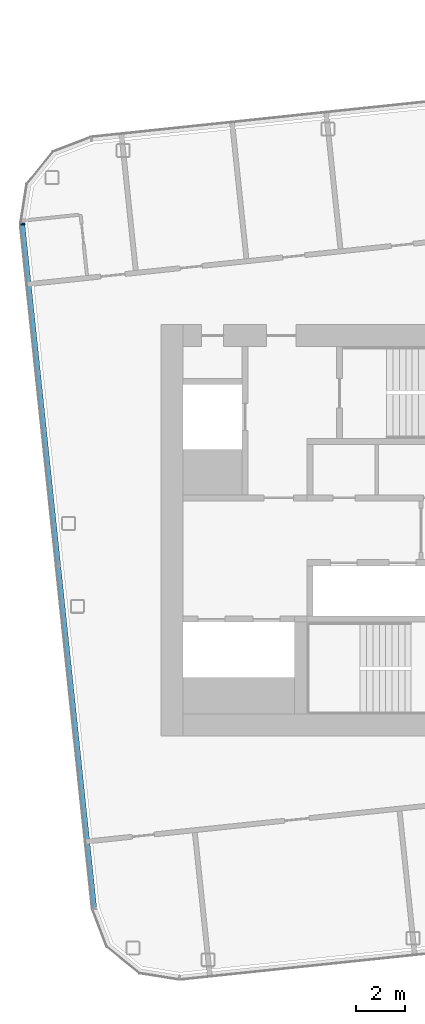
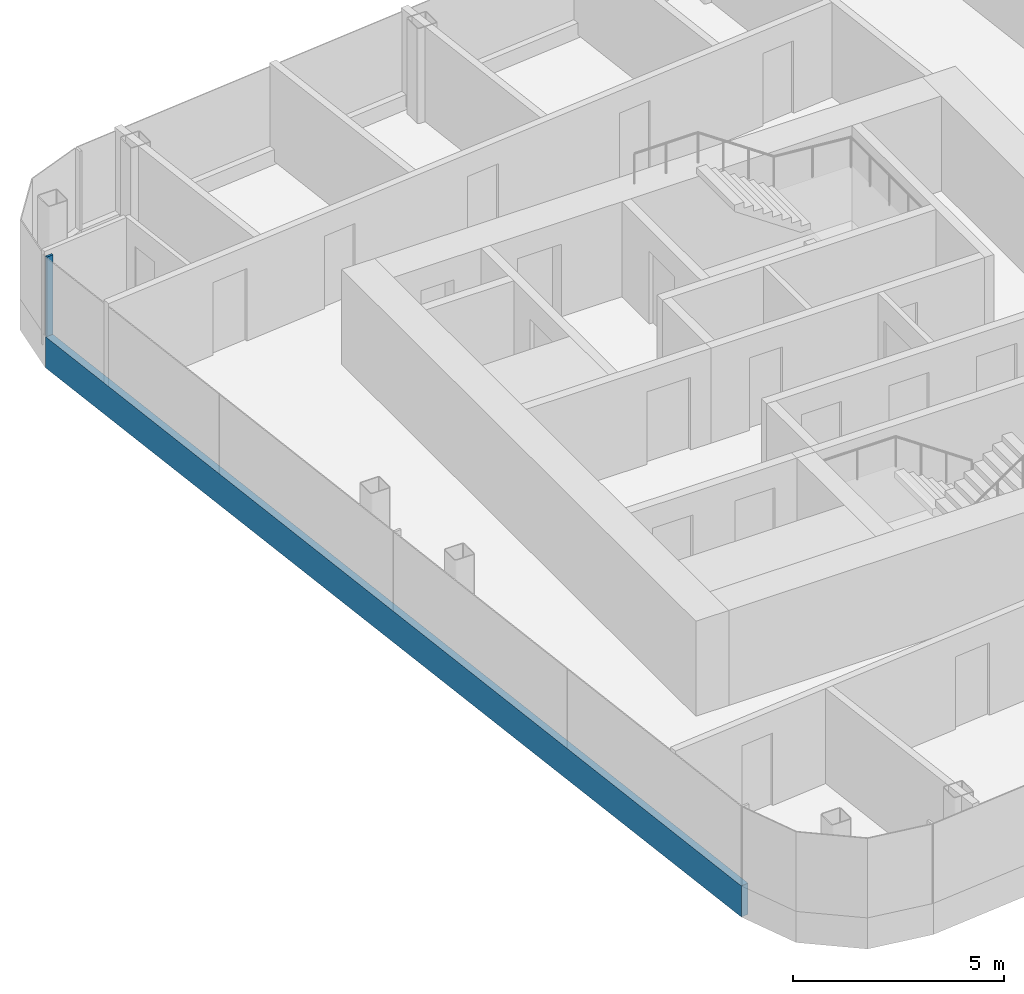
# One storey, part 4 of 26: 2 members, 1 element without a shape of its own.
"""IFC4 building model written with IfcOpenShell, lengths in metres."""

from ifc_helpers import new_model, si_unit, direction, frame, origin, origin_2d, place, context, subcontext, project, spatial, rectangle, extrude, material, layer, layer_set, material_profile, profile_set, type_object, element, aggregate, save


model = new_model("IFC4")

# Units and contexts
model_context = context("Model", 3, precision=1e-05, world=origin(), true_north=direction((0.0, 1.0)))
body_context = subcontext(model_context, "Body", "Model", "MODEL_VIEW")
ifc_project = project(units=[si_unit("LENGTHUNIT", "METRE"), si_unit("AREAUNIT", "SQUARE_METRE"), si_unit("VOLUMEUNIT", "CUBIC_METRE"), si_unit("PLANEANGLEUNIT", "RADIAN"), si_unit("MASSUNIT", "GRAM", prefix="KILO")], contexts=[model_context])

# Site, building, storey
site_placement = place(None, origin())
site = spatial("IfcSite", under=ifc_project, at=site_placement, CompositionType="ELEMENT")
building_placement = place(site_placement, origin())
building = spatial("IfcBuilding", under=site, at=building_placement, Name="Hakoniwa Tower and Hamabe Station Hall", CompositionType="ELEMENT")
storey_placement = place(building_placement, frame((0.0, 0.0, 251.800048828125)))
storey = spatial("IfcBuildingStorey", under=building, at=storey_placement, Name="L71", CompositionType="ELEMENT", Elevation=251.800048828125)

# Curtain wall, members
ifc_material_1 = material(Name="Dark low-e laminated glass", Category="glass")
ifc_layer = layer(ifc_material_1, 0.199951171875)
ifc_layer_set = layer_set([ifc_layer], Name="CW-1 UNITISED GUEST")
curtain_wall_type = type_object("IfcCurtainWallType", Name="CW-1 UNITISED GUEST", PredefinedType="NOTDEFINED", material=ifc_layer_set)
curtain_wall_placement = place(storey_placement, origin())
curtain_wall = element("IfcCurtainWall", 1, at=curtain_wall_placement, inside=storey, type_object=curtain_wall_type, Name="CW-1 curtain wall", PredefinedType="NOTDEFINED")
ifc_material_2 = material(Name="Aluminium 6063-T5 black anodised", Category="aluminium")
ifc_material_profile_1 = material_profile(ifc_material_2, rectangle(XDim=0.199951171875, YDim=0.89990234375, at=origin_2d()), Name="CW SLAB-EDGE BAND 900X200")
ifc_profile_set_1 = profile_set([ifc_material_profile_1], Name="Aluminium 6063-T5 black anodised")
member_type_1 = type_object("IfcMemberType", Name="CW SLAB-EDGE BAND 900X200", PredefinedType="USERDEFINED", material=ifc_profile_set_1)
member_1_placement = place(storey_placement, frame((-39.25927734375, 12.490478515625, -0.10009765625), z_axis=(0.104529086463, -0.994521829868, 0.0), x_axis=(0.994521829868, 0.104529086463, 0.0)))
member_1 = element("IfcMember", 2, at=member_1_placement, type_object=member_type_1, Name="CW-1 transom", ObjectType="TRANSOM", PredefinedType="USERDEFINED", context=body_context, shape_type="SweptSolid", body=[
    extrude(rectangle(XDim=0.199951171875, YDim=0.89990234375, at=origin_2d()), origin(), (0.0, 0.0, 1.0), 28.078857421875),
])
ifc_material_3 = material(Name="Aluminium 6063-T5 black anodised", Category="aluminium")
ifc_material_profile_2 = material_profile(ifc_material_3, rectangle(XDim=0.06005859375, YDim=0.179931640625, at=origin_2d()), Name="CW-1 MULLION 60X180")
ifc_profile_set_2 = profile_set([ifc_material_profile_2], Name="Aluminium 6063-T5 black anodised")
member_type_2 = type_object("IfcMemberType", Name="CW-1 MULLION 60X180", PredefinedType="MULLION", material=ifc_profile_set_2)
member_2_placement = place(storey_placement, frame((-39.241455078125, 12.492431640625, 0.349853515625), z_axis=(0.0, 0.0, 1.0), x_axis=(0.104528468631, -0.994521894805, 0.0)))
member_2 = element("IfcMember", 3, at=member_2_placement, type_object=member_type_2, Name="CW-1 mullion", PredefinedType="MULLION", context=body_context, shape_type="SweptSolid", body=[
    extrude(rectangle(XDim=0.06005859375, YDim=0.179931640625, at=origin_2d()), origin(), (0.0, 0.0, 1.0), 2.300048828125),
])
aggregate(curtain_wall, [member_2, member_1])

save(model, "model.ifc")
